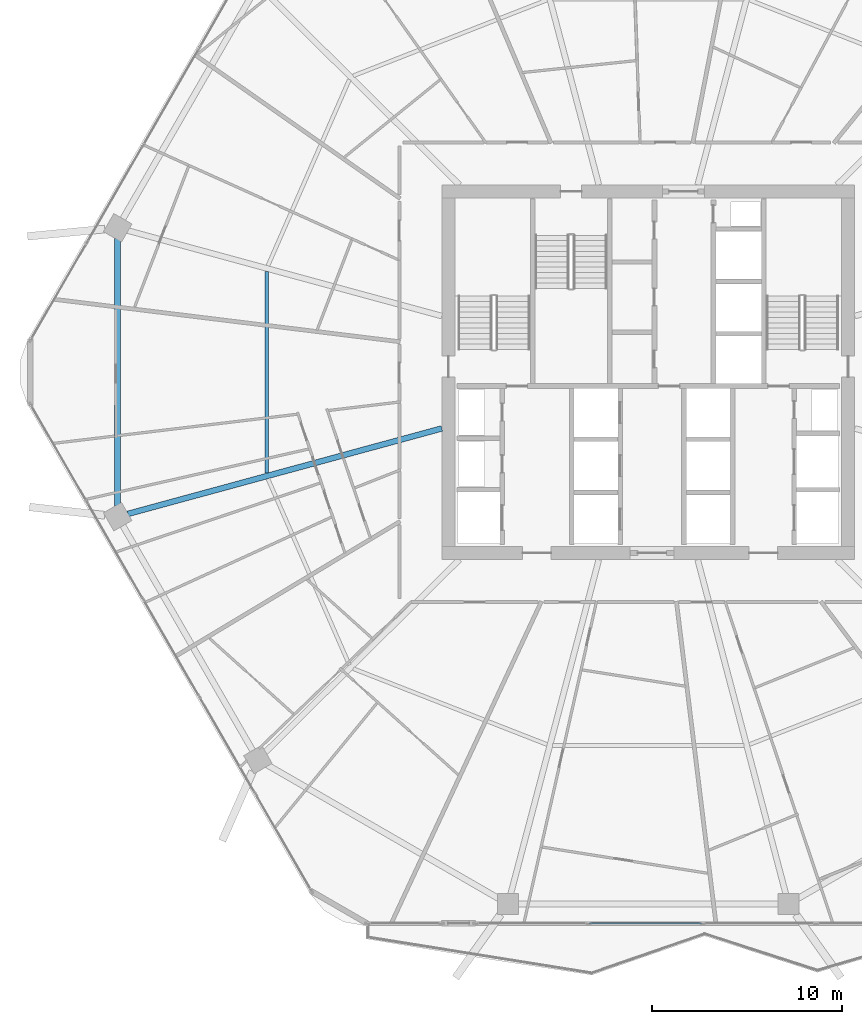
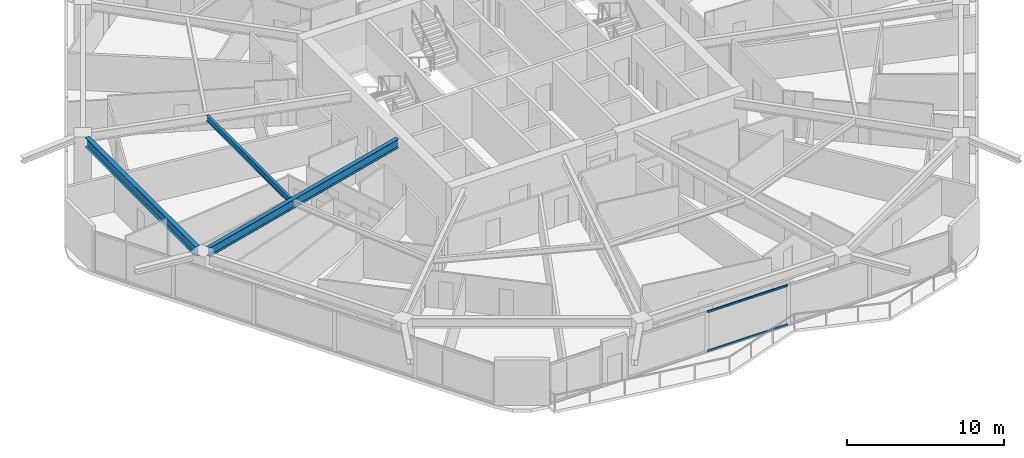
# One storey, part 6 of 33: 3 beams, 2 members, 1 element without a shape of its own.
"""IFC4 building model written with IfcOpenShell, lengths in metres."""

from ifc_helpers import new_model, si_unit, direction, frame, origin, origin_2d, place, context, subcontext, project, spatial, hollow_rectangle, i_section, extrude, material, material_profile, profile_set, type_object, element, aggregate, save


model = new_model("IFC4")

# Units and contexts
model_context = context("Model", 3, precision=1e-05, world=origin(), true_north=direction((0.0, 1.0)))
body_context = subcontext(model_context, "Body", "Model", "MODEL_VIEW")
ifc_project = project(units=[si_unit("LENGTHUNIT", "METRE"), si_unit("AREAUNIT", "SQUARE_METRE"), si_unit("VOLUMEUNIT", "CUBIC_METRE"), si_unit("PLANEANGLEUNIT", "RADIAN"), si_unit("MASSUNIT", "GRAM", prefix="KILO")], contexts=[model_context])

# Site, building, storey
site_placement = place(None, origin())
site = spatial("IfcSite", under=ifc_project, at=site_placement, CompositionType="ELEMENT")
building_placement = place(site_placement, origin())
building = spatial("IfcBuilding", under=site, at=building_placement, Name="Zuhravey Tower", CompositionType="ELEMENT")
storey_placement = place(building_placement, frame((0.0, 0.0, 103.800048828125)))
storey = spatial("IfcBuildingStorey", under=building, at=storey_placement, Name="L25", CompositionType="ELEMENT", Elevation=103.800048828125)

# Curtain wall, members
ifc_material_1 = material(Name="Thermally broken anodised aluminium", Category="aluminium")
curtain_wall_type = type_object("IfcCurtainWallType", Name="Zone 1-2 Residential Curtain Wall CW3", PredefinedType="NOTDEFINED", material=ifc_material_1)
curtain_wall_placement = place(storey_placement, origin())
curtain_wall = element("IfcCurtainWall", 1, at=curtain_wall_placement, inside=storey, type_object=curtain_wall_type, Name="L25 CW3 CW-L25-F5-1", PredefinedType="NOTDEFINED")
ifc_material_2 = material(Name="Anodised aluminium", Category="aluminium")
ifc_material_profile_1 = material_profile(ifc_material_2, hollow_rectangle(XDim=0.090087890625, YDim=0.14990234375, WallThickness=0.0048828125, at=origin_2d()), Name="ALU-RHS-90x150x5")
ifc_profile_set_1 = profile_set([ifc_material_profile_1], Name="Anodised aluminium")
member_type = type_object("IfcMemberType", Name="Curtain-Wall Transom 90x150", PredefinedType="USERDEFINED", material=ifc_profile_set_1)
member_1_placement = place(storey_placement, frame((38.79736328125, 3.04150390625, 0.044921875), z_axis=(-1.0, 0.0, 0.0), x_axis=(0.0, -1.0, 0.0)))
member_1 = element("IfcMember", 2, at=member_1_placement, type_object=member_type, Name="CW3 transom 3.1", ObjectType="TRANSOM", PredefinedType="USERDEFINED", context=body_context, shape_type="SweptSolid", body=[
    extrude(hollow_rectangle(XDim=0.090087890625, YDim=0.14990234375, WallThickness=0.0048828125, at=origin_2d()), origin(), (0.0, 0.0, 1.0), 5.888671875),
])
member_2_placement = place(storey_placement, frame((38.79736328125, 3.04150390625, 3.076904296875), z_axis=(-1.0, 0.0, 0.0), x_axis=(0.0, -1.0, 0.0)))
member_2 = element("IfcMember", 3, at=member_2_placement, type_object=member_type, Name="CW3 transom 3.2", ObjectType="TRANSOM", PredefinedType="USERDEFINED", context=body_context, shape_type="SweptSolid", body=[
    extrude(hollow_rectangle(XDim=0.090087890625, YDim=0.14990234375, WallThickness=0.0048828125, at=origin_2d()), origin(), (0.0, 0.0, 1.0), 5.888671875),
])
aggregate(curtain_wall, [member_1, member_2])

# Beams
ifc_material_3 = material(Name="Steel SM355", Category="steel")
ifc_material_profile_2 = material_profile(ifc_material_3, i_section(OverallWidth=0.320068359375, OverallDepth=0.75, WebThickness=0.013916015625, FlangeThickness=0.02490234375, at=origin_2d()), Name="H-750x320x14x25")
ifc_profile_set_2 = profile_set([ifc_material_profile_2], Name="Steel SM355")
beam_type_1 = type_object("IfcBeamType", Name="Perimeter Ring Beam H750x320", PredefinedType="BEAM", material=ifc_profile_set_2)
beam_1_placement = place(storey_placement, frame((8.11083984375, 39.03857421875, 3.175048828125), z_axis=(0.0, -1.0, 0.0), x_axis=(1.0, 0.0, 0.0)))
element("IfcBeam", 4, at=beam_1_placement, inside=storey, type_object=beam_type_1, Name="L25 PB1 BM-L25-PB-06", PredefinedType="BEAM", context=body_context, shape_type="SweptSolid", body=[
    extrude(i_section(OverallWidth=0.320068359375, OverallDepth=0.75, WebThickness=0.013916015625, FlangeThickness=0.02490234375, at=origin_2d()), origin(), (0.0, 0.0, 1.0), 14.0771484375),
])
ifc_material_profile_3 = material_profile(ifc_material_3, i_section(OverallWidth=0.300048828125, OverallDepth=0.699951171875, WebThickness=0.012939453125, FlangeThickness=0.02392578125, at=origin_2d()), Name="H-700x300x13x24")
ifc_profile_set_3 = profile_set([ifc_material_profile_3], Name="Steel SM355")
beam_type_2 = type_object("IfcBeamType", Name="Radial Primary Girder H700x300", PredefinedType="BEAM", material=ifc_profile_set_3)
beam_2_placement = place(storey_placement, frame((25.14697265625, 29.045654296875, 3.199951171875), z_axis=(-0.964893166225, -0.262642680791, 0.0), x_axis=(0.262642680791, -0.964893166225, 0.0)))
element("IfcBeam", 5, at=beam_2_placement, inside=storey, type_object=beam_type_2, Name="L25 RG1 BM-L25-RAD-07", PredefinedType="BEAM", context=body_context, shape_type="SweptSolid", body=[
    extrude(i_section(OverallWidth=0.300048828125, OverallDepth=0.699951171875, WebThickness=0.012939453125, FlangeThickness=0.02392578125, at=origin_2d()), origin(), (0.0, 0.0, 1.0), 17.102783203125),
])
ifc_material_profile_4 = material_profile(ifc_material_3, i_section(OverallWidth=0.199951171875, OverallDepth=0.449951171875, WebThickness=0.009033203125, FlangeThickness=0.013916015625, at=origin_2d()), Name="H-450x200x9x14")
ifc_profile_set_4 = profile_set([ifc_material_profile_4], Name="Steel SM355")
beam_type_3 = type_object("IfcBeamType", Name="Secondary Floor Joist H450x200", PredefinedType="JOIST", material=ifc_profile_set_4)
beam_3_placement = place(storey_placement, frame((15.947509765625, 37.304443359375, 3.324951171875), z_axis=(0.0, -1.0, 0.0), x_axis=(1.0, 0.0, 0.0)))
element("IfcBeam", 6, at=beam_3_placement, inside=storey, type_object=beam_type_3, Name="L25 SJ1 BM-L25-SJ-06-1", PredefinedType="JOIST", context=body_context, shape_type="SweptSolid", body=[
    extrude(i_section(OverallWidth=0.199951171875, OverallDepth=0.449951171875, WebThickness=0.009033203125, FlangeThickness=0.013916015625, at=origin_2d()), origin(), (0.0, 0.0, 1.0), 10.60888671875),
])

save(model, "model.ifc")
